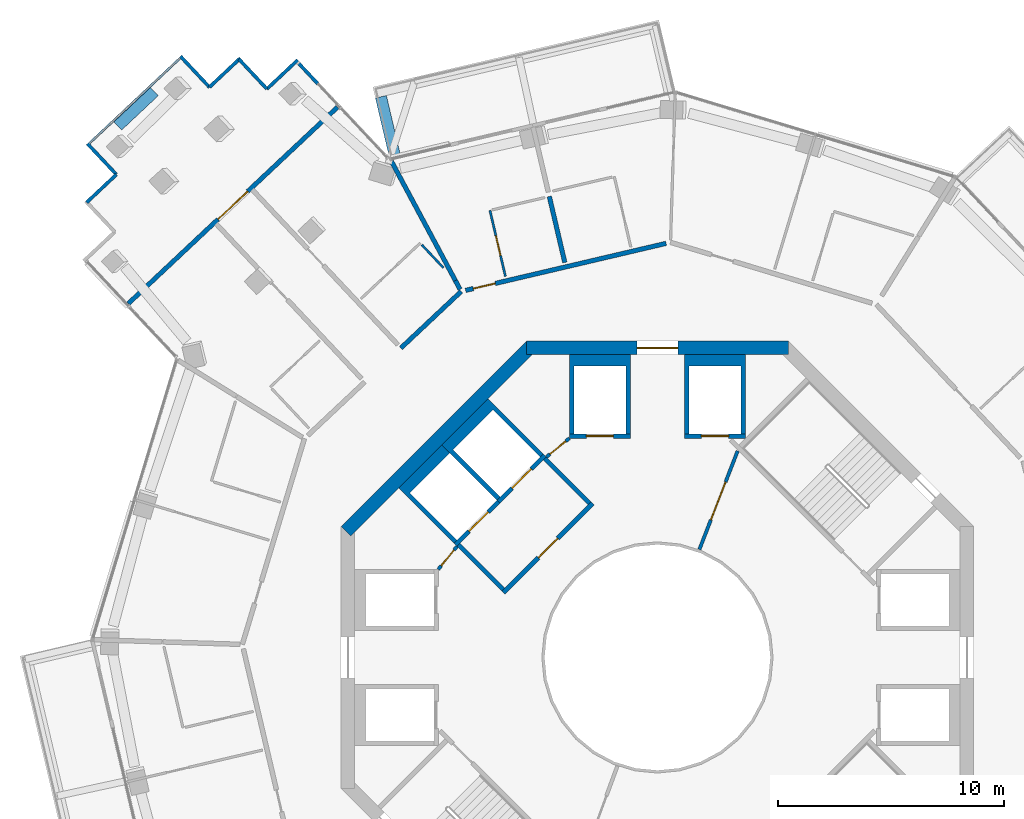
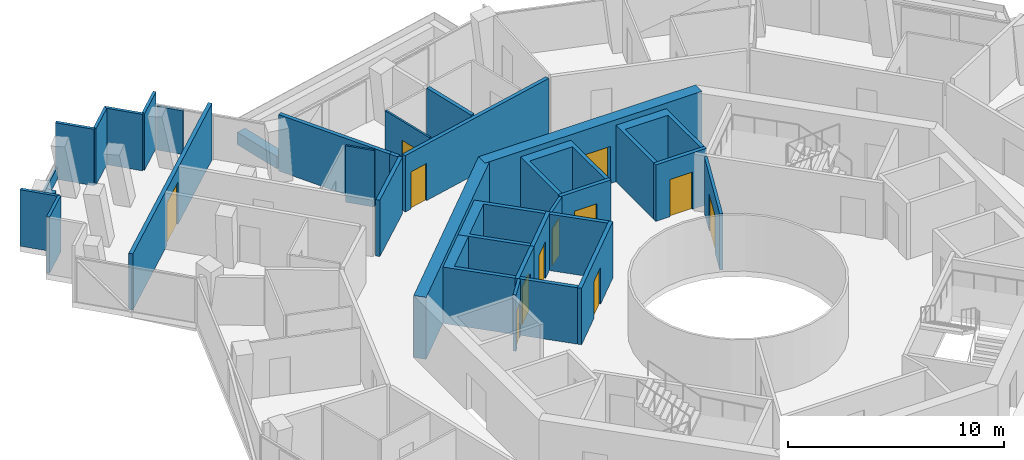
# One storey, part 19 of 24: 34 walls, 12 doors, 12 openings.
"""IFC4 building model written with IfcOpenShell, lengths in metres."""

from ifc_helpers import new_model, si_unit, direction, frame, frame_2d, origin, place, context, subcontext, project, spatial, polyline, rectangle, outline, extrude, material, layer, layer_set, type_object, element, fill, save


model = new_model("IFC4")

# Units and contexts
model_context = context("Model", 3, precision=1e-05, world=origin(), true_north=direction((0.0, 1.0)))
body_context = subcontext(model_context, "Body", "Model", "MODEL_VIEW")
ifc_project = project(units=[si_unit("LENGTHUNIT", "METRE"), si_unit("AREAUNIT", "SQUARE_METRE"), si_unit("VOLUMEUNIT", "CUBIC_METRE"), si_unit("PLANEANGLEUNIT", "RADIAN"), si_unit("MASSUNIT", "GRAM", prefix="KILO")], contexts=[model_context])

# Site, building, storey
site_placement = place(None, origin())
site = spatial("IfcSite", under=ifc_project, at=site_placement, CompositionType="ELEMENT")
building_placement = place(site_placement, origin())
building = spatial("IfcBuilding", under=site, at=building_placement, Name="Verdalira Terraces Hotel", CompositionType="ELEMENT")
storey_placement = place(building_placement, frame((0.0, 0.0, 209.0)))
storey = spatial("IfcBuildingStorey", under=building, at=storey_placement, Name="L51", CompositionType="ELEMENT", Elevation=209.0)

# Walls
ifc_material_1 = material(Name="Concrete C40", Category="concrete")
ifc_layer_1 = layer(ifc_material_1, 0.5)
ifc_layer_set_1 = layer_set([ifc_layer_1], Name="Balcony planter trough with tree")
wall_type_1 = type_object("IfcWallType", Name="Balcony planter trough with tree", PredefinedType="SOLIDWALL", material=ifc_layer_set_1)
wall_1_placement = place(storey_placement, frame((-12.240723, 24.818848, 0.0), z_axis=(0.0, 0.0, 1.0), x_axis=(0.228313242, -0.973587728, 0.0)))
element("IfcWall", 1, at=wall_1_placement, inside=storey, type_object=wall_type_1, Name="Balcony planter", PredefinedType="SOLIDWALL", context=body_context, shape_type="SweptSolid", body=[
    extrude(rectangle(XDim=2.698975, YDim=0.5, at=frame_2d((1.349609, 0.0))), origin(), (0.0, 0.0, 1.0), 0.699951),
])
ifc_material_2 = material(Name="Moisture-resistant gypsum board partition")
ifc_layer_2 = layer(ifc_material_2, 0.10009765625)
ifc_layer_set_2 = layer_set([ifc_layer_2], Name="Bathroom partition 100 mm")
wall_type_2 = type_object("IfcWallType", Name="Bathroom partition 100 mm", PredefinedType="PARTITIONING", material=ifc_layer_set_2)
wall_2_placement = place(storey_placement, frame((-10.432617, 18.267822, 0.0), z_axis=(0.0, 0.0, 1.0), x_axis=(0.684498399, -0.729014363, 0.0)))
element("IfcWall", 2, at=wall_2_placement, inside=storey, type_object=wall_type_2, Name="Bathroom partition", PredefinedType="PARTITIONING", context=body_context, shape_type="SweptSolid", body=[
    extrude(rectangle(XDim=1.398438, YDim=0.100098, at=frame_2d((0.699219, 0.0))), origin(), (0.0, 0.0, 1.0), 3.189941),
])

# Wall, opening, door
wall_3_placement = place(storey_placement, frame((-7.414551, 19.788086, 0.0), z_axis=(0.0, 0.0, 1.0), x_axis=(0.228340776, -0.97358127, 0.0)))
wall_3 = element("IfcWall", 3, at=wall_3_placement, inside=storey, type_object=wall_type_2, Name="Bathroom partition", PredefinedType="PARTITIONING", context=body_context, shape_type="SweptSolid", body=[
    extrude(rectangle(XDim=3.000244, YDim=0.100098, at=frame_2d((1.5, 0.0))), origin(), (0.0, 0.0, 1.0), 3.189941),
])
opening_1_placement = place(wall_3_placement, frame((1.149902, 0.0, 0.0)))
opening_1 = element("IfcOpeningElement", 4, at=opening_1_placement, cuts=wall_3, Name="Opening L51-134", PredefinedType="OPENING", context=body_context, shape_type="SweptSolid", body=[
    extrude(rectangle(XDim=0.899902, YDim=2.100098, at=frame_2d((0.449951, 1.050049))), frame((0.0, 0.060059, 0.0), z_axis=(0.0, -1.0, 0.0), x_axis=(1.0, 0.0, 0.0)), (0.0, 0.0, 1.0), 0.120117),
])
ifc_material_3 = material(Name="Timber door", Category="wood")
door_type_1 = type_object("IfcDoorType", Name="Bathroom door 900 x 2100", OperationType="NOTDEFINED", PredefinedType="DOOR", material=ifc_material_3)
door_1_placement = place(opening_1_placement, origin())
door_1 = element("IfcDoor", 5, at=door_1_placement, inside=storey, type_object=door_type_1, Name="Bathroom door 5113", OperationType="SINGLE_SWING_LEFT", OverallHeight=2.10009765625, OverallWidth=0.89990234375, PredefinedType="DOOR", context=body_context, shape_type="SweptSolid", body=[
    extrude(rectangle(XDim=0.899902, YDim=2.100098, at=frame_2d((0.449951, 1.050049))), frame((0.0, 0.024902, 0.0), z_axis=(0.0, -1.0, 0.0), x_axis=(1.0, 0.0, 0.0)), (0.0, 0.0, 1.0), 0.050049),
])
fill(opening_1, door_1)

# Wall
ifc_material_4 = material(Name="Concrete C50", Category="concrete")
ifc_layer_3 = layer(ifc_material_4, 0.199951171875)
ifc_layer_set_3 = layer_set([ifc_layer_3], Name="Core RC wall 200 C50")
wall_type_3 = type_object("IfcWallType", Name="Core RC wall 200 C50", PredefinedType="SOLIDWALL", material=ifc_layer_set_3)
wall_4_placement = place(storey_placement, origin())
element("IfcWall", 6, at=wall_4_placement, inside=storey, type_object=wall_type_3, Name="L51 shaft wall N1", PredefinedType="SOLIDWALL", context=body_context, shape_type="SweptSolid", body=[
    extrude(outline(polyline([(3.899902, 9.899902), (3.699951, 9.899902), (3.699951, 12.899902), (1.399902, 12.899902), (1.399902, 9.899902), (1.199951, 9.899902), (1.199951, 13.399902), (3.899902, 13.399902), (3.899902, 9.899902)])), origin(), (0.0, 0.0, 1.0), 3.189941),
])

# Wall, opening, door
wall_5_placement = place(storey_placement, frame((1.199951, 9.800049, 0.0), z_axis=(0.0, 0.0, 1.0), x_axis=(1.0, 0.0, 0.0)))
wall_5 = element("IfcWall", 7, at=wall_5_placement, inside=storey, type_object=wall_type_3, Name="L51 shaft front wall N1", PredefinedType="SOLIDWALL", context=body_context, shape_type="SweptSolid", body=[
    extrude(rectangle(XDim=2.699951, YDim=0.199951, at=frame_2d((1.350098, 0.0))), origin(), (0.0, 0.0, 1.0), 3.189941),
])
opening_2_placement = place(wall_5_placement, frame((0.75, 0.0, 0.0)))
opening_2 = element("IfcOpeningElement", 8, at=opening_2_placement, cuts=wall_5, Name="Opening LD-L51-804", PredefinedType="OPENING", context=body_context, shape_type="SweptSolid", body=[
    extrude(rectangle(XDim=1.199951, YDim=2.100098, at=frame_2d((0.600098, 1.050049))), frame((0.0, 0.109863, 0.0), z_axis=(0.0, -1.0, 0.0), x_axis=(1.0, 0.0, 0.0)), (0.0, 0.0, 1.0), 0.219971),
])
ifc_material_5 = material(Name="Stainless steel", Category="steel")
door_type_2 = type_object("IfcDoorType", Name="Landing door 1200 x 2100", OperationType="NOTDEFINED", PredefinedType="DOOR", material=ifc_material_5)
door_2_placement = place(opening_2_placement, origin())
door_2 = element("IfcDoor", 9, at=door_2_placement, inside=storey, type_object=door_type_2, Name="Lift landing door HR3 L51", OperationType="DOUBLE_DOOR_SLIDING", OverallHeight=2.10009765625, OverallWidth=1.199951171875, PredefinedType="DOOR", context=body_context, shape_type="SweptSolid", body=[
    extrude(rectangle(XDim=1.199951, YDim=2.100098, at=frame_2d((0.600098, 1.050049))), frame((0.0, 0.024902, 0.0), z_axis=(0.0, -1.0, 0.0), x_axis=(1.0, 0.0, 0.0)), (0.0, 0.0, 1.0), 0.050049),
])
fill(opening_2, door_2)

# Wall
wall_6_placement = place(storey_placement, origin())
element("IfcWall", 10, at=wall_6_placement, inside=storey, type_object=wall_type_3, Name="L51 shaft wall N2", PredefinedType="SOLIDWALL", context=body_context, shape_type="SweptSolid", body=[
    extrude(outline(polyline([(-3.899902, 13.399902), (-1.199951, 13.399902), (-1.199951, 9.899902), (-1.399902, 9.899902), (-1.399902, 12.899902), (-3.699951, 12.899902), (-3.699951, 9.899902), (-3.899902, 9.899902), (-3.899902, 13.399902)])), origin(), (0.0, 0.0, 1.0), 3.189941),
])

# Wall, opening, door
wall_7_placement = place(storey_placement, frame((-1.199951, 9.800049, 0.0), z_axis=(0.0, 0.0, 1.0), x_axis=(-1.0, 0.0, 0.0)))
wall_7 = element("IfcWall", 11, at=wall_7_placement, inside=storey, type_object=wall_type_3, Name="L51 shaft front wall N2", PredefinedType="SOLIDWALL", context=body_context, shape_type="SweptSolid", body=[
    extrude(rectangle(XDim=2.699951, YDim=0.199951, at=frame_2d((1.350098, 0.0))), origin(), (0.0, 0.0, 1.0), 3.189941),
])
opening_3_placement = place(wall_7_placement, frame((0.75, 0.0, 0.0)))
opening_3 = element("IfcOpeningElement", 12, at=opening_3_placement, cuts=wall_7, Name="Opening LD-L51-805", PredefinedType="OPENING", context=body_context, shape_type="SweptSolid", body=[
    extrude(rectangle(XDim=1.199951, YDim=2.100098, at=frame_2d((0.600098, 1.050049))), frame((0.0, 0.109863, 0.0), z_axis=(0.0, -1.0, 0.0), x_axis=(1.0, 0.0, 0.0)), (0.0, 0.0, 1.0), 0.219971),
])
door_3_placement = place(opening_3_placement, origin())
door_3 = element("IfcDoor", 13, at=door_3_placement, inside=storey, type_object=door_type_2, Name="Lift landing door HR4 L51", OperationType="DOUBLE_DOOR_SLIDING", OverallHeight=2.10009765625, OverallWidth=1.199951171875, PredefinedType="DOOR", context=body_context, shape_type="SweptSolid", body=[
    extrude(rectangle(XDim=1.199951, YDim=2.100098, at=frame_2d((0.600098, 1.050049))), frame((0.0, 0.024902, 0.0), z_axis=(0.0, -1.0, 0.0), x_axis=(1.0, 0.0, 0.0)), (0.0, 0.0, 1.0), 0.050049),
])
fill(opening_3, door_3)

# Wall
wall_8_placement = place(storey_placement, origin())
element("IfcWall", 14, at=wall_8_placement, inside=storey, type_object=wall_type_3, Name="L51 shaft wall F1", PredefinedType="SOLIDWALL", context=body_context, shape_type="SweptSolid", body=[
    extrude(outline(polyline([(-9.545898, 9.404541), (-7.495361, 11.455078), (-5.055908, 9.015625), (-5.197266, 8.874268), (-7.283203, 10.960205), (-9.051025, 9.192383), (-6.965088, 7.106445), (-7.106445, 6.965088), (-9.545898, 9.404541)])), origin(), (0.0, 0.0, 1.0), 3.189941),
])

# Wall, opening, door
wall_9_placement = place(storey_placement, frame((-4.985107, 8.944824, 0.0), z_axis=(0.0, 0.0, 1.0), x_axis=(-0.707106781, -0.707106781, 0.0)))
wall_9 = element("IfcWall", 15, at=wall_9_placement, inside=storey, type_object=wall_type_3, Name="L51 shaft front wall F1", PredefinedType="SOLIDWALL", context=body_context, shape_type="SweptSolid", body=[
    extrude(rectangle(XDim=2.899902, YDim=0.199951, at=frame_2d((1.449951, 0.0))), origin(), (0.0, 0.0, 1.0), 3.189941),
])
opening_4_placement = place(wall_9_placement, frame((0.850098, 0.0, 0.0)))
opening_4 = element("IfcOpeningElement", 16, at=opening_4_placement, cuts=wall_9, Name="Opening LD-L51-808", PredefinedType="OPENING", context=body_context, shape_type="SweptSolid", body=[
    extrude(rectangle(XDim=1.199951, YDim=2.100098, at=frame_2d((0.600098, 1.050049))), frame((0.0, 0.109863, 0.0), z_axis=(0.0, -1.0, 0.0), x_axis=(1.0, 0.0, 0.0)), (0.0, 0.0, 1.0), 0.219971),
])
door_4_placement = place(opening_4_placement, origin())
door_4 = element("IfcDoor", 17, at=door_4_placement, inside=storey, type_object=door_type_2, Name="Lift landing door LF11 L51", OperationType="DOUBLE_DOOR_SLIDING", OverallHeight=2.10009765625, OverallWidth=1.199951171875, PredefinedType="DOOR", context=body_context, shape_type="SweptSolid", body=[
    extrude(rectangle(XDim=1.199951, YDim=2.100098, at=frame_2d((0.600098, 1.050049))), frame((0.0, 0.024902, 0.0), z_axis=(0.0, -1.0, 0.0), x_axis=(1.0, 0.0, 0.0)), (0.0, 0.0, 1.0), 0.050049),
])
fill(opening_4, door_4)

# Wall
wall_10_placement = place(storey_placement, origin())
element("IfcWall", 18, at=wall_10_placement, inside=storey, type_object=wall_type_3, Name="L51 shaft wall F2", PredefinedType="SOLIDWALL", context=body_context, shape_type="SweptSolid", body=[
    extrude(outline(polyline([(-11.455078, 7.495361), (-9.545898, 9.404541), (-9.192383, 9.051025), (-10.960205, 7.283203), (-8.874268, 5.197266), (-9.015625, 5.055908), (-11.455078, 7.495361)])), origin(), (0.0, 0.0, 1.0), 3.189941),
])

# Wall, opening, door
wall_11_placement = place(storey_placement, frame((-7.035645, 6.894287, 0.0), z_axis=(0.0, 0.0, 1.0), x_axis=(-0.707106781, -0.707106781, 0.0)))
wall_11 = element("IfcWall", 19, at=wall_11_placement, inside=storey, type_object=wall_type_3, Name="L51 shaft front wall F2", PredefinedType="SOLIDWALL", context=body_context, shape_type="SweptSolid", body=[
    extrude(rectangle(XDim=2.699951, YDim=0.199951, at=frame_2d((1.350098, 0.0))), origin(), (0.0, 0.0, 1.0), 3.189941),
])
opening_5_placement = place(wall_11_placement, frame((0.649902, 0.0, 0.0)))
opening_5 = element("IfcOpeningElement", 20, at=opening_5_placement, cuts=wall_11, Name="Opening LD-L51-809", PredefinedType="OPENING", context=body_context, shape_type="SweptSolid", body=[
    extrude(rectangle(XDim=1.199951, YDim=2.100098, at=frame_2d((0.600098, 1.050049))), frame((0.0, 0.109863, 0.0), z_axis=(0.0, -1.0, 0.0), x_axis=(1.0, 0.0, 0.0)), (0.0, 0.0, 1.0), 0.219971),
])
door_5_placement = place(opening_5_placement, origin())
door_5 = element("IfcDoor", 21, at=door_5_placement, inside=storey, type_object=door_type_2, Name="Lift landing door LF12 L51", OperationType="DOUBLE_DOOR_SLIDING", OverallHeight=2.10009765625, OverallWidth=1.199951171875, PredefinedType="DOOR", context=body_context, shape_type="SweptSolid", body=[
    extrude(rectangle(XDim=1.199951, YDim=2.100098, at=frame_2d((0.600098, 1.050049))), frame((0.0, 0.024902, 0.0), z_axis=(0.0, -1.0, 0.0), x_axis=(1.0, 0.0, 0.0)), (0.0, 0.0, 1.0), 0.050049),
])
fill(opening_5, door_5)

wall_12_placement = place(storey_placement, frame((-2.86377, 6.823486, 0.0), z_axis=(0.0, 0.0, 1.0), x_axis=(-0.707106781, -0.707106781, 0.0)))
wall_12 = element("IfcWall", 22, at=wall_12_placement, inside=storey, type_object=wall_type_3, Name="L51 fire lobby wall", PredefinedType="SOLIDWALL", context=body_context, shape_type="SweptSolid", body=[
    extrude(rectangle(XDim=5.599854, YDim=0.199951, at=frame_2d((2.799805, 0.0))), origin(), (0.0, 0.0, 1.0), 3.189941),
])
opening_6_placement = place(wall_12_placement, frame((2.199951, 0.0, 0.0)))
opening_6 = element("IfcOpeningElement", 23, at=opening_6_placement, cuts=wall_12, Name="Opening L51-819", PredefinedType="OPENING", context=body_context, shape_type="SweptSolid", body=[
    extrude(rectangle(XDim=1.199951, YDim=2.100098, at=frame_2d((0.600098, 1.050049))), frame((0.0, 0.109863, 0.0), z_axis=(0.0, -1.0, 0.0), x_axis=(1.0, 0.0, 0.0)), (0.0, 0.0, 1.0), 0.219971),
])
ifc_material_6 = material(Name="Steel fire door", Category="steel")
door_type_3 = type_object("IfcDoorType", Name="Lobby door 1200 x 2100", OperationType="NOTDEFINED", PredefinedType="DOOR", material=ifc_material_6)
door_6_placement = place(opening_6_placement, origin())
door_6 = element("IfcDoor", 24, at=door_6_placement, inside=storey, type_object=door_type_3, Name="Fire lobby door L51", OperationType="SINGLE_SWING_LEFT", OverallHeight=2.10009765625, OverallWidth=1.199951171875, PredefinedType="DOOR", context=body_context, shape_type="SweptSolid", body=[
    extrude(rectangle(XDim=1.199951, YDim=2.100098, at=frame_2d((0.600098, 1.050049))), frame((0.0, 0.024902, 0.0), z_axis=(0.0, -1.0, 0.0), x_axis=(1.0, 0.0, 0.0)), (0.0, 0.0, 1.0), 0.050049),
])
fill(opening_6, door_6)

# Walls
for number, where, z_axis, x_axis, name in (
    (25, (-3.005127, 6.823486, 0.0), (0.0, 0.0, 1.0), (-0.707106781, 0.707106781, 0.0), "L51 fire lobby wall"),
    (26, (-6.823486, 3.005127, 0.0), (0.0, 0.0, 1.0), (-0.707106781, 0.707106781, 0.0), "L51 fire lobby wall"),
):
    element("IfcWall", number, at=place(storey_placement, frame(where, z_axis=z_axis, x_axis=x_axis)), inside=storey, type_object=wall_type_3, Name=name, PredefinedType="SOLIDWALL", context=body_context, shape_type="SweptSolid", body=[
        extrude(rectangle(XDim=2.800049, YDim=0.199951, at=frame_2d((1.399902, 0.0))), origin(), (0.0, 0.0, 1.0), 3.189941),
    ])

# Wall, opening, door
ifc_material_7 = material(Name="Gypsum board partition")
ifc_layer_4 = layer(ifc_material_7, 0.14990234375)
ifc_layer_set_4 = layer_set([ifc_layer_4], Name="Core partition 150 mm")
wall_type_4 = type_object("IfcWallType", Name="Core partition 150 mm", PredefinedType="PARTITIONING", material=ifc_layer_set_4)
wall_13_placement = place(storey_placement, frame((-3.899902, 9.699951, 0.0), z_axis=(0.0, 0.0, 1.0), x_axis=(-0.775559878, -0.631274009, 0.0)))
wall_13 = element("IfcWall", 27, at=wall_13_placement, inside=storey, type_object=wall_type_4, Name="Room partition L51", PredefinedType="PARTITIONING", context=body_context, shape_type="SweptSolid", body=[
    extrude(rectangle(XDim=1.307861, YDim=0.149902, at=frame_2d((0.653809, 0.0))), origin(), (0.0, 0.0, 1.0), 3.189941),
])
opening_7_placement = place(wall_13_placement, frame((0.204102, 0.0, 0.0)))
opening_7 = element("IfcOpeningElement", 28, at=opening_7_placement, cuts=wall_13, Name="Opening L51-820", PredefinedType="OPENING", context=body_context, shape_type="SweptSolid", body=[
    extrude(rectangle(XDim=0.899902, YDim=2.100098, at=frame_2d((0.449951, 1.050049))), frame((0.0, 0.084961, 0.0), z_axis=(0.0, -1.0, 0.0), x_axis=(1.0, 0.0, 0.0)), (0.0, 0.0, 1.0), 0.169922),
])
ifc_material_8 = material(Name="Steel fire door", Category="steel")
door_type_4 = type_object("IfcDoorType", Name="Core room door 900 x 2100", OperationType="NOTDEFINED", PredefinedType="DOOR", material=ifc_material_8)
door_7_placement = place(opening_7_placement, origin())
door_7 = element("IfcDoor", 29, at=door_7_placement, inside=storey, type_object=door_type_4, Name="Door L51 room2", OperationType="SINGLE_SWING_LEFT", OverallHeight=2.10009765625, OverallWidth=0.89990234375, PredefinedType="DOOR", context=body_context, shape_type="SweptSolid", body=[
    extrude(rectangle(XDim=0.899902, YDim=2.100098, at=frame_2d((0.449951, 1.050049))), frame((0.0, 0.024902, 0.0), z_axis=(0.0, -1.0, 0.0), x_axis=(1.0, 0.0, 0.0)), (0.0, 0.0, 1.0), 0.050049),
])
fill(opening_7, door_7)

wall_14_placement = place(storey_placement, frame((-8.874268, 4.914307, 0.0), z_axis=(0.0, 0.0, 1.0), x_axis=(-0.631274009, -0.775559878, 0.0)))
wall_14 = element("IfcWall", 30, at=wall_14_placement, inside=storey, type_object=wall_type_4, Name="Room partition L51", PredefinedType="PARTITIONING", context=body_context, shape_type="SweptSolid", body=[
    extrude(rectangle(XDim=1.307861, YDim=0.149902, at=frame_2d((0.653809, 0.0))), origin(), (0.0, 0.0, 1.0), 3.189941),
])
opening_8_placement = place(wall_14_placement, frame((0.204102, 0.0, 0.0)))
opening_8 = element("IfcOpeningElement", 31, at=opening_8_placement, cuts=wall_14, Name="Opening L51-821", PredefinedType="OPENING", context=body_context, shape_type="SweptSolid", body=[
    extrude(rectangle(XDim=0.899902, YDim=2.100098, at=frame_2d((0.449951, 1.050049))), frame((0.0, 0.084961, 0.0), z_axis=(0.0, -1.0, 0.0), x_axis=(1.0, 0.0, 0.0)), (0.0, 0.0, 1.0), 0.169922),
])
door_8_placement = place(opening_8_placement, origin())
door_8 = element("IfcDoor", 32, at=door_8_placement, inside=storey, type_object=door_type_4, Name="Door L51 room3", OperationType="SINGLE_SWING_LEFT", OverallHeight=2.10009765625, OverallWidth=0.89990234375, PredefinedType="DOOR", context=body_context, shape_type="SweptSolid", body=[
    extrude(rectangle(XDim=0.899902, YDim=2.100098, at=frame_2d((0.449951, 1.050049))), frame((0.0, 0.024902, 0.0), z_axis=(0.0, -1.0, 0.0), x_axis=(1.0, 0.0, 0.0)), (0.0, 0.0, 1.0), 0.050049),
])
fill(opening_8, door_8)

wall_15_placement = place(storey_placement, frame((1.857178, 4.781982, 0.0), z_axis=(0.0, 0.0, 1.0), x_axis=(0.362053096, 0.932157474, 0.0)))
wall_15 = element("IfcWall", 33, at=wall_15_placement, inside=storey, type_object=wall_type_4, Name="Gallery fire partition L51", PredefinedType="PARTITIONING", context=body_context, shape_type="SweptSolid", body=[
    extrude(rectangle(XDim=4.675049, YDim=0.149902, at=frame_2d((2.337402, 0.0))), origin(), (0.0, 0.0, 1.0), 3.189941),
])
opening_9_placement = place(wall_15_placement, frame((1.399902, 0.0, 0.0)))
opening_9 = element("IfcOpeningElement", 34, at=opening_9_placement, cuts=wall_15, Name="Opening L51-823", PredefinedType="OPENING", context=body_context, shape_type="SweptSolid", body=[
    extrude(rectangle(XDim=1.800049, YDim=2.100098, at=frame_2d((0.899902, 1.050049))), frame((0.0, 0.084961, 0.0), z_axis=(0.0, -1.0, 0.0), x_axis=(1.0, 0.0, 0.0)), (0.0, 0.0, 1.0), 0.169922),
])
ifc_material_9 = material(Name="Steel fire door", Category="steel")
door_type_5 = type_object("IfcDoorType", Name="Gallery fire door pair 1800 x 2100", OperationType="NOTDEFINED", PredefinedType="DOOR", material=ifc_material_9)
door_9_placement = place(opening_9_placement, origin())
door_9 = element("IfcDoor", 35, at=door_9_placement, inside=storey, type_object=door_type_5, Name="Door L51 split1", OperationType="DOUBLE_DOOR_SINGLE_SWING", OverallHeight=2.10009765625, OverallWidth=1.800048828125, PredefinedType="DOOR", context=body_context, shape_type="SweptSolid", body=[
    extrude(rectangle(XDim=1.800049, YDim=2.100098, at=frame_2d((0.899902, 1.050049))), frame((0.0, 0.024902, 0.0), z_axis=(0.0, -1.0, 0.0), x_axis=(1.0, 0.0, 0.0)), (0.0, 0.0, 1.0), 0.050049),
])
fill(opening_9, door_9)

ifc_material_10 = material(Name="Concrete C60", Category="concrete")
ifc_layer_5 = layer(ifc_material_10, 0.60009765625)
ifc_layer_set_5 = layer_set([ifc_layer_5], Name="Core wall 600 C60")
wall_type_5 = type_object("IfcWallType", Name="Core wall 600 C60", PredefinedType="SHEAR", material=ifc_layer_set_5)
wall_16_placement = place(storey_placement, frame((5.799072, 13.699951, 0.0), z_axis=(0.0, 0.0, 1.0), x_axis=(-1.0, 0.0, 0.0)))
wall_16 = element("IfcWall", 36, at=wall_16_placement, inside=storey, type_object=wall_type_5, Name="Core wall CW-L51-3", PredefinedType="SHEAR", context=body_context, shape_type="SweptSolid", body=[
    extrude(rectangle(XDim=11.598145, YDim=0.600098, at=frame_2d((5.799072, 0.0))), origin(), (0.0, 0.0, 1.0), 3.5),
])
opening_10_placement = place(wall_16_placement, frame((4.898926, 0.0, 0.0)))
opening_10 = element("IfcOpeningElement", 37, at=opening_10_placement, cuts=wall_16, Name="Opening L51-814", PredefinedType="OPENING", context=body_context, shape_type="SweptSolid", body=[
    extrude(rectangle(XDim=1.800049, YDim=2.100098, at=frame_2d((0.899902, 1.050049))), frame((0.0, 0.310059, 0.0), z_axis=(0.0, -1.0, 0.0), x_axis=(1.0, 0.0, 0.0)), (0.0, 0.0, 1.0), 0.620117),
])
ifc_material_11 = material(Name="Steel fire door", Category="steel")
door_type_6 = type_object("IfcDoorType", Name="Core entry door pair 1800 x 2100", OperationType="NOTDEFINED", PredefinedType="DOOR", material=ifc_material_11)
door_10_placement = place(opening_10_placement, origin())
door_10 = element("IfcDoor", 38, at=door_10_placement, inside=storey, type_object=door_type_6, Name="Core entry door L51 2", OperationType="DOUBLE_DOOR_SINGLE_SWING", OverallHeight=2.10009765625, OverallWidth=1.800048828125, PredefinedType="DOOR", context=body_context, shape_type="SweptSolid", body=[
    extrude(rectangle(XDim=1.800049, YDim=2.100098, at=frame_2d((0.899902, 1.050049))), frame((0.0, 0.024902, 0.0), z_axis=(0.0, -1.0, 0.0), x_axis=(1.0, 0.0, 0.0)), (0.0, 0.0, 1.0), 0.050049),
])
fill(opening_10, door_10)

# Walls
wall_17_placement = place(storey_placement, frame((-5.586914, 13.787842, 0.0), z_axis=(0.0, 0.0, 1.0), x_axis=(-0.707106781, -0.707106781, 0.0)))
element("IfcWall", 39, at=wall_17_placement, inside=storey, type_object=wall_type_5, Name="Core wall CW-L51-4", PredefinedType="SHEAR", context=body_context, shape_type="SweptSolid", body=[
    extrude(rectangle(XDim=11.5979, YDim=0.600098, at=frame_2d((5.798828, 0.0))), origin(), (0.0, 0.0, 1.0), 3.5),
])
ifc_material_12 = material(Name="Fire-rated gypsum board wall")
ifc_layer_6 = layer(ifc_material_12, 0.199951171875)
ifc_layer_set_6 = layer_set([ifc_layer_6], Name="Demising wall 200 mm")
wall_type_6 = type_object("IfcWallType", Name="Demising wall 200 mm", PredefinedType="SOLIDWALL", material=ifc_layer_set_6)
wall_18_placement = place(storey_placement, frame((-11.796875, 22.000977, 0.0), z_axis=(0.0, 0.0, 1.0), x_axis=(0.472578543, -0.881288557, 0.0)))
element("IfcWall", 40, at=wall_18_placement, inside=storey, type_object=wall_type_6, Name="Demising wall", PredefinedType="SOLIDWALL", context=body_context, shape_type="SweptSolid", body=[
    extrude(rectangle(XDim=6.031982, YDim=0.199951, at=frame_2d((3.016113, 0.0))), origin(), (0.0, 0.0, 1.0), 3.189941),
])
wall_19_placement = place(storey_placement, frame((-8.946289, 16.685059, 0.0), z_axis=(0.0, 0.0, 1.0), x_axis=(0.471900865, -0.881651617, 0.0)))
element("IfcWall", 41, at=wall_19_placement, inside=storey, type_object=wall_type_6, Name="Demising wall", PredefinedType="SOLIDWALL", context=body_context, shape_type="SweptSolid", body=[
    extrude(rectangle(XDim=0.443848, YDim=0.199951, at=frame_2d((0.221924, 0.0))), origin(), (0.0, 0.0, 1.0), 3.189941),
])
wall_20_placement = place(storey_placement, frame((-4.10083, 17.483887, 0.0), z_axis=(0.0, 0.0, 1.0), x_axis=(-0.228368392, 0.973574793, 0.0)))
element("IfcWall", 42, at=wall_20_placement, inside=storey, type_object=wall_type_6, Name="Demising wall", PredefinedType="SOLIDWALL", context=body_context, shape_type="SweptSolid", body=[
    extrude(rectangle(XDim=3.001953, YDim=0.199951, at=frame_2d((1.500977, 0.0))), origin(), (0.0, 0.0, 1.0), 3.189941),
])
ifc_material_13 = material(Name="Fire-rated gypsum board wall")
ifc_layer_7 = layer(ifc_material_13, 0.199951171875)
ifc_layer_set_7 = layer_set([ifc_layer_7], Name="Guest corridor wall 200 mm")
wall_type_7 = type_object("IfcWallType", Name="Guest corridor wall 200 mm", PredefinedType="SOLIDWALL", material=ifc_layer_set_7)
wall_21_placement = place(storey_placement, frame((-8.687744, 16.202637, 0.0), z_axis=(0.0, 0.0, 1.0), x_axis=(-0.728947972, -0.684569101, 0.0)))
element("IfcWall", 43, at=wall_21_placement, inside=storey, type_object=wall_type_7, Name="Guest corridor wall", PredefinedType="SOLIDWALL", context=body_context, shape_type="SweptSolid", body=[
    extrude(rectangle(XDim=3.658447, YDim=0.199951, at=frame_2d((1.829102, 0.0))), origin(), (0.0, 0.0, 1.0), 3.189941),
])

# Wall, opening, door
wall_22_placement = place(storey_placement, frame((-8.49292, 16.248291, 0.0), z_axis=(0.0, 0.0, 1.0), x_axis=(0.973578833, 0.228351168, 0.0)))
wall_22 = element("IfcWall", 44, at=wall_22_placement, inside=storey, type_object=wall_type_7, Name="Guest corridor wall", PredefinedType="SOLIDWALL", context=body_context, shape_type="SweptSolid", body=[
    extrude(rectangle(XDim=9.116699, YDim=0.199951, at=frame_2d((4.55835, 0.0))), origin(), (0.0, 0.0, 1.0), 3.189941),
])
opening_11_placement = place(wall_22_placement, frame((0.350098, 0.0, 0.0)))
opening_11 = element("IfcOpeningElement", 45, at=opening_11_placement, cuts=wall_22, Name="Opening L51-133", PredefinedType="OPENING", context=body_context, shape_type="SweptSolid", body=[
    extrude(rectangle(XDim=1.0, YDim=2.100098, at=frame_2d((0.5, 1.050049))), frame((0.0, 0.109863, 0.0), z_axis=(0.0, -1.0, 0.0), x_axis=(1.0, 0.0, 0.0)), (0.0, 0.0, 1.0), 0.219971),
])
ifc_material_14 = material(Name="Timber fire door", Category="wood")
door_type_7 = type_object("IfcDoorType", Name="Guest entry door 1000 x 2100", OperationType="NOTDEFINED", PredefinedType="DOOR", material=ifc_material_14)
door_11_placement = place(opening_11_placement, origin())
door_11 = element("IfcDoor", 46, at=door_11_placement, inside=storey, type_object=door_type_7, Name="Guest entry door 5113", OperationType="SINGLE_SWING_LEFT", OverallHeight=2.10009765625, OverallWidth=1.0, PredefinedType="DOOR", context=body_context, shape_type="SweptSolid", body=[
    extrude(rectangle(XDim=1.0, YDim=2.100098, at=frame_2d((0.5, 1.050049))), frame((0.0, 0.024902, 0.0), z_axis=(0.0, -1.0, 0.0), x_axis=(1.0, 0.0, 0.0)), (0.0, 0.0, 1.0), 0.050049),
])
fill(opening_11, door_11)

ifc_material_15 = material(Name="Terracotta cladding", Category="masonry")
ifc_layer_8 = layer(ifc_material_15, 0.199951171875)
ifc_layer_set_8 = layer_set([ifc_layer_8], Name="Loggia back wall 200")
wall_type_8 = type_object("IfcWallType", Name="Loggia back wall 200", PredefinedType="SOLIDWALL", material=ifc_layer_set_8)
wall_23_placement = place(storey_placement, frame((-23.422363, 15.666016, 0.0), z_axis=(0.0, 0.0, 1.0), x_axis=(0.728980036, 0.684534957, 0.0)))
wall_23 = element("IfcWall", 47, at=wall_23_placement, inside=storey, type_object=wall_type_8, Name="Loggia back wall", PredefinedType="SOLIDWALL", context=body_context, shape_type="SweptSolid", body=[
    extrude(rectangle(XDim=12.699951, YDim=0.199951, at=frame_2d((6.350098, 0.0))), origin(), (0.0, 0.0, 1.0), 3.189941),
])
opening_12_placement = place(wall_23_placement, frame((5.449951, 0.0, 0.0)))
opening_12 = element("IfcOpeningElement", 48, at=opening_12_placement, cuts=wall_23, Name="Opening L51-L01", PredefinedType="OPENING", context=body_context, shape_type="SweptSolid", body=[
    extrude(rectangle(XDim=1.800049, YDim=2.399902, at=frame_2d((0.899902, 1.199951))), frame((0.0, 0.109863, 0.0), z_axis=(0.0, -1.0, 0.0), x_axis=(1.0, 0.0, 0.0)), (0.0, 0.0, 1.0), 0.219971),
])
ifc_material_16 = material(Name="Clear glass", Category="glass")
door_type_8 = type_object("IfcDoorType", Name="Garden double door 1800x2400", OperationType="NOTDEFINED", PredefinedType="DOOR", material=ifc_material_16)
door_12_placement = place(opening_12_placement, origin())
door_12 = element("IfcDoor", 49, at=door_12_placement, inside=storey, type_object=door_type_8, Name="Loggia double door", OperationType="DOUBLE_DOOR_SINGLE_SWING", OverallHeight=2.39990234375, OverallWidth=1.800048828125, PredefinedType="DOOR", context=body_context, shape_type="SweptSolid", body=[
    extrude(rectangle(XDim=1.800049, YDim=2.399902, at=frame_2d((0.899902, 1.199951))), frame((0.0, 0.024902, 0.0), z_axis=(0.0, -1.0, 0.0), x_axis=(1.0, 0.0, 0.0)), (0.0, 0.0, 1.0), 0.050049),
])
fill(opening_12, door_12)

# Walls
ifc_material_17 = material(Name="Concrete C40", Category="concrete")
ifc_layer_9 = layer(ifc_material_17, 0.5)
ifc_layer_set_9 = layer_set([ifc_layer_9], Name="Loggia planter trough with tree")
wall_type_9 = type_object("IfcWallType", Name="Loggia planter trough with tree", PredefinedType="SOLIDWALL", material=ifc_layer_set_9)
wall_24_placement = place(storey_placement, frame((-22.269775, 25.047607, 0.0), z_axis=(0.0, 0.0, 1.0), x_axis=(-0.728951069, -0.684565804, 0.0)))
element("IfcWall", 50, at=wall_24_placement, inside=storey, type_object=wall_type_9, Name="Loggia planter", PredefinedType="SOLIDWALL", context=body_context, shape_type="SweptSolid", body=[
    extrude(rectangle(XDim=2.222168, YDim=0.5, at=frame_2d((1.111084, 0.0))), origin(), (0.0, 0.0, 1.0), 0.699951),
])
ifc_material_18 = material(Name="Concrete C40", Category="concrete")
ifc_layer_10 = layer(ifc_material_18, 0.10009765625)
ifc_layer_set_10 = layer_set([ifc_layer_10], Name="Loggia upstand 100")
wall_type_10 = type_object("IfcWallType", Name="Loggia upstand 100", PredefinedType="SOLIDWALL", material=ifc_layer_set_10)
wall_25_placement = place(storey_placement, frame((-21.135498, 26.52417, 0.0), z_axis=(0.0, 0.0, 1.0), x_axis=(-0.728974929, -0.684540396, 0.0)))
element("IfcWall", 51, at=wall_25_placement, inside=storey, type_object=wall_type_10, Name="Loggia upstand", PredefinedType="SOLIDWALL", context=body_context, shape_type="SweptSolid", body=[
    extrude(rectangle(XDim=5.5, YDim=0.100098, at=frame_2d((2.75, 0.0))), origin(), (0.0, 0.0, 1.0), 0.699951),
])
ifc_material_19 = material(Name="Terracotta cladding", Category="masonry")
ifc_layer_11 = layer(ifc_material_19, 0.14990234375)
ifc_layer_set_11 = layer_set([ifc_layer_11], Name="Terracotta clad wall 150")
wall_type_11 = type_object("IfcWallType", Name="Terracotta clad wall 150", PredefinedType="SOLIDWALL", material=ifc_layer_set_11)
wall_26_placement = place(storey_placement, frame((-15.92041, 26.44873, 0.0), z_axis=(0.0, 0.0, 1.0), x_axis=(-0.728960304, -0.68455597, 0.0)))
element("IfcWall", 52, at=wall_26_placement, inside=storey, type_object=wall_type_11, Name="Terracotta cladding wall", PredefinedType="SOLIDWALL", context=body_context, shape_type="SweptSolid", body=[
    extrude(rectangle(XDim=1.874756, YDim=0.149902, at=frame_2d((0.9375, 0.0))), origin(), (0.0, 0.0, 1.0), 3.189941),
])
wall_27_placement = place(storey_placement, frame((-17.287109, 25.165283, 0.0), z_axis=(0.0, 0.0, 1.0), x_axis=(-0.684513882, 0.728999825, 0.0)))
element("IfcWall", 53, at=wall_27_placement, inside=storey, type_object=wall_type_11, Name="Terracotta cladding wall", PredefinedType="SOLIDWALL", context=body_context, shape_type="SweptSolid", body=[
    extrude(rectangle(XDim=1.800049, YDim=0.149902, at=frame_2d((0.899902, 0.0))), origin(), (0.0, 0.0, 1.0), 3.189941),
])
for number, where, z_axis, x_axis, name in (
    (54, (-18.464844, 26.528809, 0.0), (0.0, 0.0, 1.0), (-0.728960304, -0.68455597, 0.0), "Terracotta cladding wall"),
    (55, (-19.831543, 25.245361, 0.0), (0.0, 0.0, 1.0), (-0.68455597, 0.728960304, 0.0), "Terracotta cladding wall"),
    (56, (-25.233643, 22.744385, 0.0), (0.0, 0.0, 1.0), (0.68455597, -0.728960304, 0.0), "Terracotta cladding wall"),
):
    element("IfcWall", number, at=place(storey_placement, frame(where, z_axis=z_axis, x_axis=x_axis)), inside=storey, type_object=wall_type_11, Name=name, PredefinedType="SOLIDWALL", context=body_context, shape_type="SweptSolid", body=[
        extrude(rectangle(XDim=1.874756, YDim=0.149902, at=frame_2d((0.9375, 0.0))), origin(), (0.0, 0.0, 1.0), 3.189941),
    ])
wall_28_placement = place(storey_placement, frame((-23.950195, 21.377686, 0.0), z_axis=(0.0, 0.0, 1.0), x_axis=(-0.728932148, -0.68458595, 0.0)))
element("IfcWall", 57, at=wall_28_placement, inside=storey, type_object=wall_type_11, Name="Terracotta cladding wall", PredefinedType="SOLIDWALL", context=body_context, shape_type="SweptSolid", body=[
    extrude(rectangle(XDim=1.800293, YDim=0.149902, at=frame_2d((0.900146, 0.0))), origin(), (0.0, 0.0, 1.0), 3.189941),
])
ifc_material_20 = material(Name="Terracotta cladding", Category="masonry")
ifc_layer_12 = layer(ifc_material_20, 0.14990234375)
ifc_layer_set_12 = layer_set([ifc_layer_12], Name="Terracotta column pier 150")
wall_type_12 = type_object("IfcWallType", Name="Terracotta column pier 150", PredefinedType="SOLIDWALL", material=ifc_layer_set_12)
wall_29_placement = place(storey_placement, frame((-14.999512, 25.358643, 0.0), z_axis=(0.0, 0.0, 1.0), x_axis=(-0.684537285, 0.72897785, 0.0)))
element("IfcWall", 58, at=wall_29_placement, inside=storey, type_object=wall_type_12, Name="Terracotta column pier", PredefinedType="SOLIDWALL", context=body_context, shape_type="SweptSolid", body=[
    extrude(rectangle(XDim=1.280029, YDim=0.149902, at=frame_2d((0.640137, 0.0))), origin(), (0.0, 0.0, 1.0), 2.475098),
])

save(model, "model.ifc")
